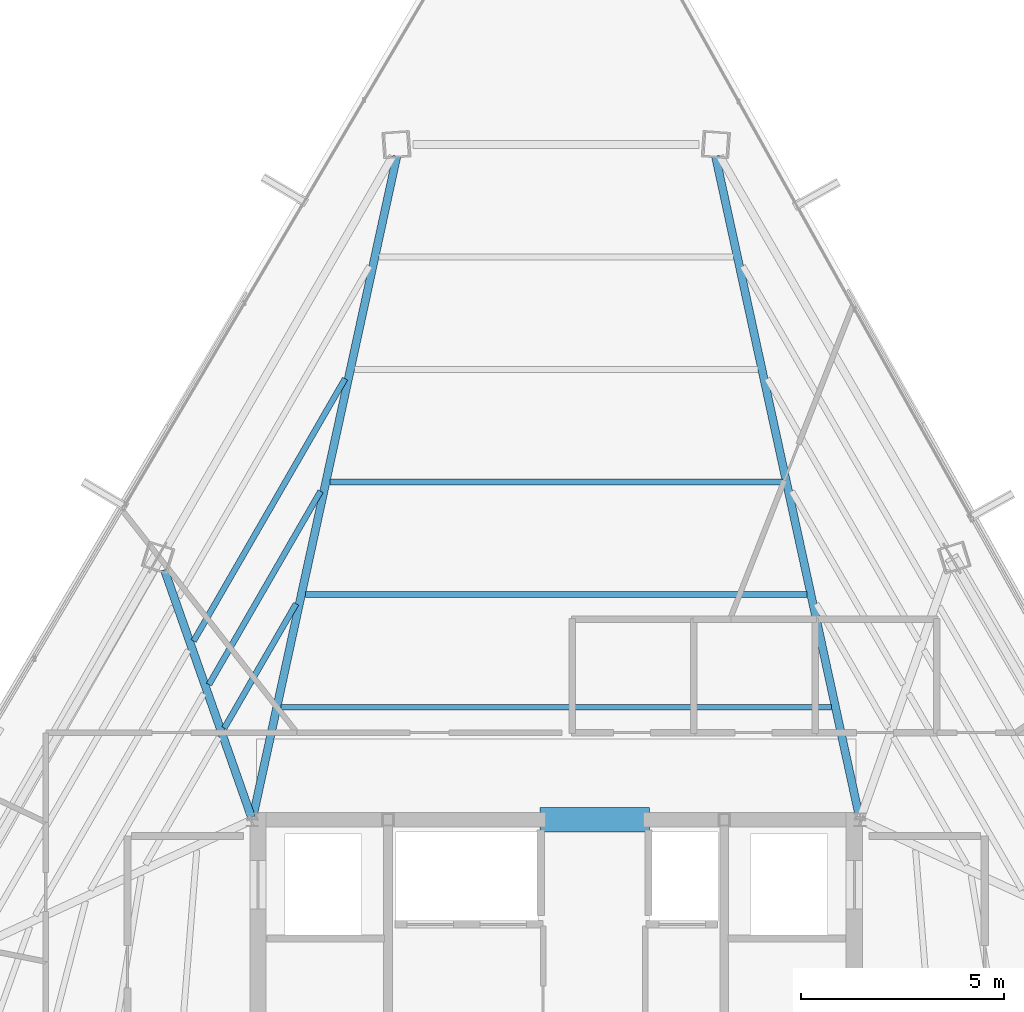
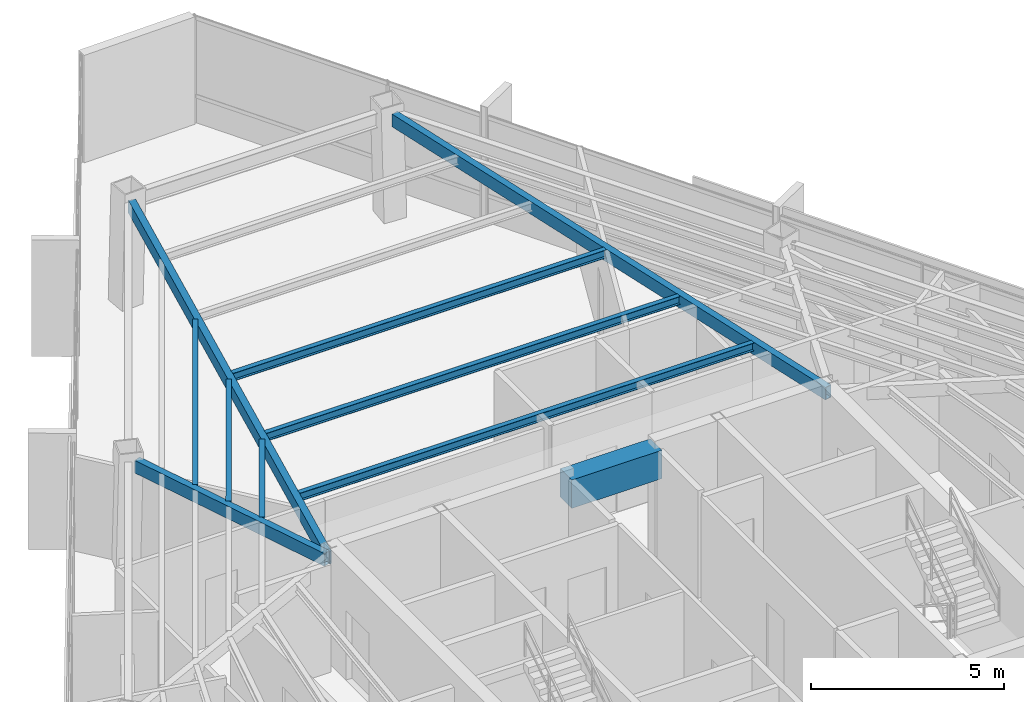
# One storey, part 18 of 46: 10 beams.
"""IFC4 building model written with IfcOpenShell, lengths in metres."""

from ifc_helpers import new_model, si_unit, direction, frame, origin, origin_2d, place, context, subcontext, project, spatial, rectangle, hollow_rectangle, i_section, extrude, source, transform, mapped, material, material_profile, profile_set, type_object, type_shapes, element, save


model = new_model("IFC4")

# Units and contexts
model_context = context("Model", 3, precision=1e-05, world=origin(), true_north=direction((0.0, 1.0)))
body_context = subcontext(model_context, "Body", "Model", "MODEL_VIEW")
ifc_project = project(units=[si_unit("LENGTHUNIT", "METRE"), si_unit("AREAUNIT", "SQUARE_METRE"), si_unit("VOLUMEUNIT", "CUBIC_METRE"), si_unit("PLANEANGLEUNIT", "RADIAN"), si_unit("MASSUNIT", "GRAM", prefix="KILO")], contexts=[model_context])

# Site, building, storey
site_placement = place(None, origin())
site = spatial("IfcSite", under=ifc_project, at=site_placement, CompositionType="ELEMENT")
building_placement = place(site_placement, origin())
building = spatial("IfcBuilding", under=site, at=building_placement, Name="Caelisora Broadcast Tower", CompositionType="ELEMENT")
storey_placement = place(building_placement, frame((0.0, 0.0, 251.75)))
storey = spatial("IfcBuildingStorey", under=building, at=storey_placement, Name="L66", CompositionType="ELEMENT", Elevation=251.75)

# Beams
ifc_material_1 = material(Name="Concrete 50 MPa (AS 3600 S50)", Category="concrete")
ifc_material_profile_1 = material_profile(ifc_material_1, rectangle(XDim=0.60009765625, YDim=0.89990234375, at=origin_2d()), Name="Concrete 50 MPa (AS 3600 S50)")
ifc_profile_set_1 = profile_set([ifc_material_profile_1], Name="Concrete 50 MPa (AS 3600 S50)")
beam_type_1 = type_object("IfcBeamType", Name="CB02", PredefinedType="LINTEL", material=ifc_profile_set_1)
shared_shape_1 = source(origin(), body_context, "Body", "SweptSolid", [
    extrude(rectangle(XDim=0.60009765625, YDim=0.89990234375, at=origin_2d()), origin(), (0.0, 0.0, 1.0), 2.699951171875),
])
type_shapes(beam_type_1, [shared_shape_1])
beam_1_placement = place(storey_placement, frame((37.60009765625, 30.0, 2.949951171875), z_axis=(1.0, 0.0, 0.0), x_axis=(0.0, 1.0, 0.0)))
element("IfcBeam", 1, at=beam_1_placement, inside=storey, type_object=beam_type_1, Name="L66 beam CB02", PredefinedType="LINTEL", context=body_context, shape_type="MappedRepresentation", body=[
    mapped(shared_shape_1, transform((0.0, 0.0, 0.0), scale=1.0)),
])
ifc_material_2 = material(Name="Steel Grade 350 (AS/NZS 1163 C350L0)", Category="steel")
ifc_material_profile_2 = material_profile(ifc_material_2, hollow_rectangle(XDim=0.199951171875, YDim=0.39990234375, WallThickness=0.012451171875, at=origin_2d()), Name="Steel Grade 350 (AS/NZS 1163 C350L0)")
ifc_profile_set_2 = profile_set([ifc_material_profile_2], Name="Steel Grade 350 (AS/NZS 1163 C350L0)")
beam_type_2 = type_object("IfcBeamType", Name="PG07", PredefinedType="BEAM", material=ifc_profile_set_2)
shared_shape_2 = source(origin(), body_context, "Body", "SweptSolid", [
    extrude(hollow_rectangle(XDim=0.199951171875, YDim=0.39990234375, WallThickness=0.012451171875, at=origin_2d()), origin(), (0.0, 0.0, 1.0), 16.705322265625),
])
for number, where, z_axis, x_axis, name in (
    (2, (45.4873046875, 30.05859375, 3.199951171875), (-0.212742710006, 0.977108253644, 0.0), (-0.977108253644, -0.212742710006, 0.0), "L66 beam PG07"),
    (3, (30.5126953125, 30.05859375, 3.199951171875), (0.212742710006, 0.977108253644, 0.0), (-0.977108253644, 0.212742710006, 0.0), "L66 beam PG07"),
):
    element("IfcBeam", number, at=place(storey_placement, frame(where, z_axis=z_axis, x_axis=x_axis)), inside=storey, type_object=beam_type_2, Name=name, PredefinedType="BEAM", context=body_context, shape_type="MappedRepresentation", body=[
        mapped(shared_shape_2, transform((0.0, 0.0, 0.0), scale=1.0)),
    ])
shared_shape_3 = source(origin(), body_context, "Body", "SweptSolid", [
    extrude(hollow_rectangle(XDim=0.199951171875, YDim=0.39990234375, WallThickness=0.012451171875, at=origin_2d()), origin(), (0.0, 0.0, 1.0), 6.483154296875),
])
type_shapes(beam_type_2, [shared_shape_2, shared_shape_3])
beam_2_placement = place(storey_placement, frame((30.47998046875, 30.056640625, 3.199951171875), z_axis=(-0.331797615993, 0.943350593375, 0.0), x_axis=(-0.943350593375, -0.331797615993, 0.0)))
element("IfcBeam", 4, at=beam_2_placement, inside=storey, type_object=beam_type_2, Name="L66 beam PG07", PredefinedType="BEAM", context=body_context, shape_type="MappedRepresentation", body=[
    mapped(shared_shape_3, transform((0.0, 0.0, 0.0), scale=1.0)),
])
ifc_material_3 = material(Name="Steel Grade 350 (AS/NZS 3679.1)", Category="steel")
ifc_material_profile_3 = material_profile(ifc_material_3, i_section(OverallWidth=0.14599609375, OverallDepth=0.256103515625, WebThickness=0.00634765625, FlangeThickness=0.010986328125, at=origin_2d()), Name="Steel Grade 350 (AS/NZS 3679.1)")
ifc_profile_set_3 = profile_set([ifc_material_profile_3], Name="Steel Grade 350 (AS/NZS 3679.1)")
beam_type_3 = type_object("IfcBeamType", Name="SB04", PredefinedType="JOIST", material=ifc_profile_set_3)
shared_shape_4 = source(origin(), body_context, "Body", "SweptSolid", [
    extrude(i_section(OverallWidth=0.14599609375, OverallDepth=0.256103515625, WebThickness=0.00634765625, FlangeThickness=0.010986328125, at=origin_2d()), origin(), (0.0, 0.0, 1.0), 13.59130859375),
])
beam_3_placement = place(storey_placement, frame((44.795654296875, 32.77880859375, 3.27197265625), z_axis=(-1.0, 0.0, 0.0), x_axis=(0.0, -1.0, 0.0)))
element("IfcBeam", 5, at=beam_3_placement, inside=storey, type_object=beam_type_3, Name="L66 beam SB04", PredefinedType="JOIST", context=body_context, shape_type="MappedRepresentation", body=[
    mapped(shared_shape_4, transform((0.0, 0.0, 0.0), scale=1.0)),
])
shared_shape_5 = source(origin(), body_context, "Body", "SweptSolid", [
    extrude(i_section(OverallWidth=0.14599609375, OverallDepth=0.256103515625, WebThickness=0.00634765625, FlangeThickness=0.010986328125, at=origin_2d()), origin(), (0.0, 0.0, 1.0), 12.38134765625),
])
beam_4_placement = place(storey_placement, frame((44.190673828125, 35.5576171875, 3.27197265625), z_axis=(-1.0, 0.0, 0.0), x_axis=(0.0, -1.0, 0.0)))
element("IfcBeam", 6, at=beam_4_placement, inside=storey, type_object=beam_type_3, Name="L66 beam SB04", PredefinedType="JOIST", context=body_context, shape_type="MappedRepresentation", body=[
    mapped(shared_shape_5, transform((0.0, 0.0, 0.0), scale=1.0)),
])
shared_shape_6 = source(origin(), body_context, "Body", "SweptSolid", [
    extrude(i_section(OverallWidth=0.14599609375, OverallDepth=0.256103515625, WebThickness=0.00634765625, FlangeThickness=0.010986328125, at=origin_2d()), origin(), (0.0, 0.0, 1.0), 11.17138671875),
])
beam_5_placement = place(storey_placement, frame((43.585693359375, 38.33642578125, 3.27197265625), z_axis=(-1.0, 0.0, 0.0), x_axis=(0.0, -1.0, 0.0)))
element("IfcBeam", 7, at=beam_5_placement, inside=storey, type_object=beam_type_3, Name="L66 beam SB04", PredefinedType="JOIST", context=body_context, shape_type="MappedRepresentation", body=[
    mapped(shared_shape_6, transform((0.0, 0.0, 0.0), scale=1.0)),
])
shared_shape_7 = source(origin(), body_context, "Body", "SweptSolid", [
    extrude(i_section(OverallWidth=0.14599609375, OverallDepth=0.256103515625, WebThickness=0.00634765625, FlangeThickness=0.010986328125, at=origin_2d()), origin(), (0.0, 0.0, 1.0), 3.54443359375),
])
beam_6_placement = place(storey_placement, frame((31.579833984375, 35.332275390625, 3.27197265625), z_axis=(-0.499998711885, -0.866026147477, 0.0), x_axis=(0.866026147477, -0.499998711885, 0.0)))
element("IfcBeam", 8, at=beam_6_placement, inside=storey, type_object=beam_type_3, Name="L66 beam SB04", PredefinedType="JOIST", context=body_context, shape_type="MappedRepresentation", body=[
    mapped(shared_shape_7, transform((0.0, 0.0, 0.0), scale=1.0)),
])
shared_shape_8 = source(origin(), body_context, "Body", "SweptSolid", [
    extrude(i_section(OverallWidth=0.14599609375, OverallDepth=0.256103515625, WebThickness=0.00634765625, FlangeThickness=0.010986328125, at=origin_2d()), origin(), (0.0, 0.0, 1.0), 5.51123046875),
])
beam_7_placement = place(storey_placement, frame((32.18505859375, 38.111083984375, 3.27197265625), z_axis=(-0.500045834946, -0.865998939349, 0.0), x_axis=(0.865998939349, -0.500045834946, 0.0)))
element("IfcBeam", 9, at=beam_7_placement, inside=storey, type_object=beam_type_3, Name="L66 beam SB04", PredefinedType="JOIST", context=body_context, shape_type="MappedRepresentation", body=[
    mapped(shared_shape_8, transform((0.0, 0.0, 0.0), scale=1.0)),
])
shared_shape_9 = source(origin(), body_context, "Body", "SweptSolid", [
    extrude(i_section(OverallWidth=0.14599609375, OverallDepth=0.256103515625, WebThickness=0.00634765625, FlangeThickness=0.010986328125, at=origin_2d()), origin(), (0.0, 0.0, 1.0), 7.47802734375),
])
type_shapes(beam_type_3, [shared_shape_4, shared_shape_5, shared_shape_6, shared_shape_7, shared_shape_8, shared_shape_9])
beam_8_placement = place(storey_placement, frame((32.7900390625, 40.889892578125, 3.27197265625), z_axis=(-0.500005062714, -0.866022480806, 0.0), x_axis=(0.866022480806, -0.500005062714, 0.0)))
element("IfcBeam", 10, at=beam_8_placement, inside=storey, type_object=beam_type_3, Name="L66 beam SB04", PredefinedType="JOIST", context=body_context, shape_type="MappedRepresentation", body=[
    mapped(shared_shape_9, transform((0.0, 0.0, 0.0), scale=1.0)),
])

save(model, "model.ifc")
